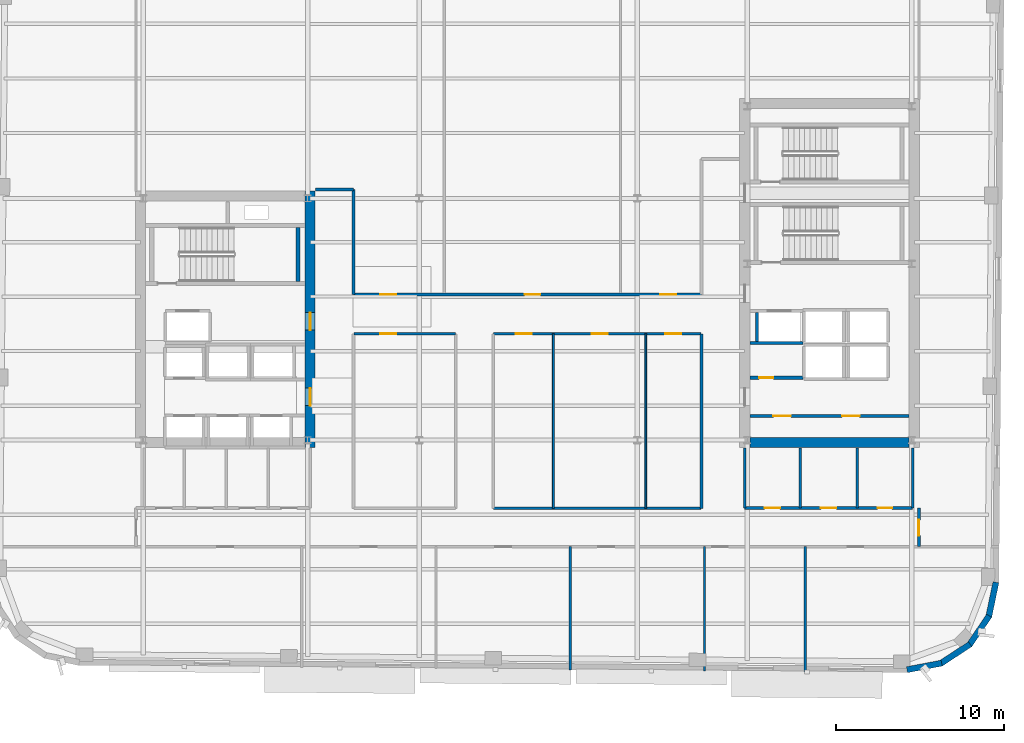
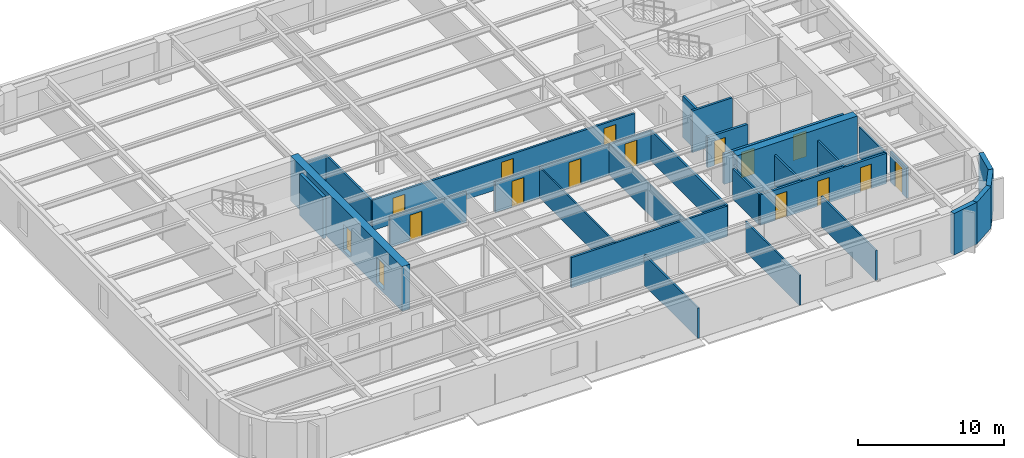
# One storey, part 5 of 12: 29 walls, 16 doors, 16 openings.
"""IFC4 building model written with IfcOpenShell, lengths in metres."""

from ifc_helpers import new_model, si_unit, direction, frame, frame_2d, origin, place, context, subcontext, project, spatial, rectangle, extrude, material, layer, layer_set, type_object, element, fill, save


model = new_model("IFC4")

# Units and contexts
model_context = context("Model", 3, precision=1e-05, world=origin(), true_north=direction((0.0, 1.0)))
body_context = subcontext(model_context, "Body", "Model", "MODEL_VIEW")
ifc_project = project(units=[si_unit("LENGTHUNIT", "METRE"), si_unit("AREAUNIT", "SQUARE_METRE"), si_unit("VOLUMEUNIT", "CUBIC_METRE"), si_unit("PLANEANGLEUNIT", "RADIAN"), si_unit("MASSUNIT", "GRAM", prefix="KILO")], contexts=[model_context])

# Site, building, storey
site_placement = place(None, origin())
site = spatial("IfcSite", under=ifc_project, at=site_placement, CompositionType="ELEMENT")
building_placement = place(site_placement, origin())
building = spatial("IfcBuilding", under=site, at=building_placement, Name="Kolvaren Arena Tower", CompositionType="ELEMENT")
storey_placement = place(building_placement, frame((0.0, 0.0, 199.699951171875)))
storey = spatial("IfcBuildingStorey", under=building, at=storey_placement, Name="L48", CompositionType="ELEMENT", Elevation=199.699951171875)

# Wall, openings, doors
ifc_material_1 = material(Name="Gypsum board acoustic assembly", Category="gypsum")
ifc_layer_1 = layer(ifc_material_1, 0.159912109375)
ifc_layer_set_1 = layer_set([ifc_layer_1], Name="Gypsum board acoustic assembly")
wall_type_1 = type_object("IfcWallType", Name="CORR-160", PredefinedType="PARTITIONING", material=ifc_layer_set_1)
wall_1_placement = place(storey_placement, frame((27.080078125, 28.1201171875, 0.0), z_axis=(0.0, 0.0, 1.0), x_axis=(1.0, 0.0, 0.0)))
wall_1 = element("IfcWall", 1, at=wall_1_placement, inside=storey, type_object=wall_type_1, Name="Interior Partition Wall (L48)", PredefinedType="PARTITIONING", context=body_context, shape_type="SweptSolid", body=[
    extrude(rectangle(XDim=20.739990234375, YDim=0.159912109375, at=frame_2d((10.3701171875, 0.0))), origin(), (0.0, 0.0, 1.0), 2.5400390625),
])
opening_1_placement = place(wall_1_placement, frame((1.594970703125, 0.0, 0.0)))
opening_1 = element("IfcOpeningElement", 2, at=opening_1_placement, cuts=wall_1, Name="Opening D05", PredefinedType="OPENING", context=body_context, shape_type="SweptSolid", body=[
    extrude(rectangle(XDim=0.949951171875, YDim=2.14990234375, at=frame_2d((0.47509765625, 1.074951171875))), frame((0.0, 0.08984375, 0.0), z_axis=(0.0, -1.0, 0.0), x_axis=(1.0, 0.0, 0.0)), (0.0, 0.0, 1.0), 0.179931640625),
])
opening_2_placement = place(wall_1_placement, frame((10.195068359375, 0.0, 0.0)))
opening_2 = element("IfcOpeningElement", 3, at=opening_2_placement, cuts=wall_1, Name="Opening D05", PredefinedType="OPENING", context=body_context, shape_type="SweptSolid", body=[
    extrude(rectangle(XDim=0.949951171875, YDim=2.14990234375, at=frame_2d((0.47509765625, 1.074951171875))), frame((0.0, 0.08984375, 0.0), z_axis=(0.0, -1.0, 0.0), x_axis=(1.0, 0.0, 0.0)), (0.0, 0.0, 1.0), 0.179931640625),
])
opening_3_placement = place(wall_1_placement, frame((18.294921875, 0.0, 0.0)))
opening_3 = element("IfcOpeningElement", 4, at=opening_3_placement, cuts=wall_1, Name="Opening D05", PredefinedType="OPENING", context=body_context, shape_type="SweptSolid", body=[
    extrude(rectangle(XDim=0.949951171875, YDim=2.14990234375, at=frame_2d((0.47509765625, 1.074951171875))), frame((0.0, 0.08984375, 0.0), z_axis=(0.0, -1.0, 0.0), x_axis=(1.0, 0.0, 0.0)), (0.0, 0.0, 1.0), 0.179931640625),
])
ifc_material_2 = material(Name="Solid-core oak acoustic office door", Category="wood")
door_type_1 = type_object("IfcDoorType", Name="DOOR-OF-095", OperationType="NOTDEFINED", PredefinedType="DOOR", material=ifc_material_2)
door_1_placement = place(opening_1_placement, origin())
door_1 = element("IfcDoor", 5, at=door_1_placement, inside=storey, type_object=door_type_1, Name="Technical Engineering Office Door (L48)", OperationType="SINGLE_SWING_RIGHT", OverallHeight=2.14990234375, OverallWidth=0.949951171875, PredefinedType="DOOR", context=body_context, shape_type="SweptSolid", body=[
    extrude(rectangle(XDim=0.949951171875, YDim=2.14990234375, at=frame_2d((0.47509765625, 1.074951171875))), frame((0.0, 0.02490234375, 0.0), z_axis=(0.0, -1.0, 0.0), x_axis=(1.0, 0.0, 0.0)), (0.0, 0.0, 1.0), 0.050048828125),
])
fill(opening_1, door_1)
door_2_placement = place(opening_2_placement, origin())
door_2 = element("IfcDoor", 6, at=door_2_placement, inside=storey, type_object=door_type_1, Name="Technical Engineering Office Door (L48)", OperationType="SINGLE_SWING_LEFT", OverallHeight=2.14990234375, OverallWidth=0.949951171875, PredefinedType="DOOR", context=body_context, shape_type="SweptSolid", body=[
    extrude(rectangle(XDim=0.949951171875, YDim=2.14990234375, at=frame_2d((0.47509765625, 1.074951171875))), frame((0.0, 0.02490234375, 0.0), z_axis=(0.0, -1.0, 0.0), x_axis=(1.0, 0.0, 0.0)), (0.0, 0.0, 1.0), 0.050048828125),
])
fill(opening_2, door_2)
door_3_placement = place(opening_3_placement, origin())
door_3 = element("IfcDoor", 7, at=door_3_placement, inside=storey, type_object=door_type_1, Name="Open Plan Office Door (L48)", OperationType="SINGLE_SWING_RIGHT", OverallHeight=2.14990234375, OverallWidth=0.949951171875, PredefinedType="DOOR", context=body_context, shape_type="SweptSolid", body=[
    extrude(rectangle(XDim=0.949951171875, YDim=2.14990234375, at=frame_2d((0.47509765625, 1.074951171875))), frame((0.0, 0.02490234375, 0.0), z_axis=(0.0, -1.0, 0.0), x_axis=(1.0, 0.0, 0.0)), (0.0, 0.0, 1.0), 0.050048828125),
])
fill(opening_3, door_3)

# Walls
wall_2_placement = place(storey_placement, frame((27.080078125, 28.1201171875, 0.0), z_axis=(0.0, 0.0, 1.0), x_axis=(0.0, 1.0, 0.0)))
element("IfcWall", 8, at=wall_2_placement, inside=storey, type_object=wall_type_1, Name="Interior Partition Wall (L48)", PredefinedType="PARTITIONING", context=body_context, shape_type="SweptSolid", body=[
    extrude(rectangle(XDim=6.259765625, YDim=0.159912109375, at=frame_2d((3.1298828125, 0.0))), origin(), (0.0, 0.0, 1.0), 2.5400390625),
])
wall_3_placement = place(storey_placement, frame((24.820068359375, 34.3798828125, 0.0), z_axis=(0.0, 0.0, 1.0), x_axis=(1.0, 0.0, 0.0)))
element("IfcWall", 9, at=wall_3_placement, inside=storey, type_object=wall_type_1, Name="Interior Partition Wall (L48)", PredefinedType="PARTITIONING", context=body_context, shape_type="SweptSolid", body=[
    extrude(rectangle(XDim=2.260009765625, YDim=0.159912109375, at=frame_2d((1.1298828125, 0.0))), origin(), (0.0, 0.0, 1.0), 2.5400390625),
])

# Wall, opening, door
wall_4_placement = place(storey_placement, frame((27.10009765625, 25.780029296875, 0.0), z_axis=(0.0, 0.0, 1.0), x_axis=(1.0, 0.0, 0.0)))
wall_4 = element("IfcWall", 10, at=wall_4_placement, inside=storey, type_object=wall_type_1, Name="Interior Partition Wall (L48)", PredefinedType="PARTITIONING", context=body_context, shape_type="SweptSolid", body=[
    extrude(rectangle(XDim=6.059814453125, YDim=0.159912109375, at=frame_2d((3.02978515625, 0.0))), origin(), (0.0, 0.0, 1.0), 2.5400390625),
])
opening_4_placement = place(wall_4_placement, frame((1.574951171875, 0.0, 0.0)))
opening_4 = element("IfcOpeningElement", 11, at=opening_4_placement, cuts=wall_4, Name="Opening D05", PredefinedType="OPENING", context=body_context, shape_type="SweptSolid", body=[
    extrude(rectangle(XDim=0.949951171875, YDim=2.14990234375, at=frame_2d((0.47509765625, 1.074951171875))), frame((0.0, 0.08984375, 0.0), z_axis=(0.0, -1.0, 0.0), x_axis=(1.0, 0.0, 0.0)), (0.0, 0.0, 1.0), 0.179931640625),
])
door_4_placement = place(opening_4_placement, origin())
door_4 = element("IfcDoor", 12, at=door_4_placement, inside=storey, type_object=door_type_1, Name="Boardroom Door (L48)", OperationType="SINGLE_SWING_LEFT", OverallHeight=2.14990234375, OverallWidth=0.949951171875, PredefinedType="DOOR", context=body_context, shape_type="SweptSolid", body=[
    extrude(rectangle(XDim=0.949951171875, YDim=2.14990234375, at=frame_2d((0.47509765625, 1.074951171875))), frame((0.0, 0.02490234375, 0.0), z_axis=(0.0, -1.0, 0.0), x_axis=(1.0, 0.0, 0.0)), (0.0, 0.0, 1.0), 0.050048828125),
])
fill(opening_4, door_4)

# Wall, openings, doors
wall_5_placement = place(storey_placement, frame((35.43994140625, 25.780029296875, 0.0), z_axis=(0.0, 0.0, 1.0), x_axis=(1.0, 0.0, 0.0)))
wall_5 = element("IfcWall", 13, at=wall_5_placement, inside=storey, type_object=wall_type_1, Name="Interior Partition Wall (L48)", PredefinedType="PARTITIONING", context=body_context, shape_type="SweptSolid", body=[
    extrude(rectangle(XDim=12.360107421875, YDim=0.159912109375, at=frame_2d((6.18017578125, 0.0))), origin(), (0.0, 0.0, 1.0), 2.5400390625),
])
opening_5_placement = place(wall_5_placement, frame((1.304931640625, 0.0, 0.0)))
opening_5 = element("IfcOpeningElement", 14, at=opening_5_placement, cuts=wall_5, Name="Opening D05", PredefinedType="OPENING", context=body_context, shape_type="SweptSolid", body=[
    extrude(rectangle(XDim=0.949951171875, YDim=2.14990234375, at=frame_2d((0.47509765625, 1.074951171875))), frame((0.0, 0.08984375, 0.0), z_axis=(0.0, -1.0, 0.0), x_axis=(1.0, 0.0, 0.0)), (0.0, 0.0, 1.0), 0.179931640625),
])
opening_6_placement = place(wall_5_placement, frame((5.8349609375, 0.0, 0.0)))
opening_6 = element("IfcOpeningElement", 15, at=opening_6_placement, cuts=wall_5, Name="Opening D05", PredefinedType="OPENING", context=body_context, shape_type="SweptSolid", body=[
    extrude(rectangle(XDim=0.949951171875, YDim=2.14990234375, at=frame_2d((0.47509765625, 1.074951171875))), frame((0.0, 0.08984375, 0.0), z_axis=(0.0, -1.0, 0.0), x_axis=(1.0, 0.0, 0.0)), (0.0, 0.0, 1.0), 0.179931640625),
])
opening_7_placement = place(wall_5_placement, frame((10.235107421875, 0.0, 0.0)))
opening_7 = element("IfcOpeningElement", 16, at=opening_7_placement, cuts=wall_5, Name="Opening D05", PredefinedType="OPENING", context=body_context, shape_type="SweptSolid", body=[
    extrude(rectangle(XDim=0.949951171875, YDim=2.14990234375, at=frame_2d((0.47509765625, 1.074951171875))), frame((0.0, 0.08984375, 0.0), z_axis=(0.0, -1.0, 0.0), x_axis=(1.0, 0.0, 0.0)), (0.0, 0.0, 1.0), 0.179931640625),
])
door_5_placement = place(opening_5_placement, origin())
door_5 = element("IfcDoor", 17, at=door_5_placement, inside=storey, type_object=door_type_1, Name="Breakout Pantry and Kitchen Door (L48)", OperationType="SINGLE_SWING_RIGHT", OverallHeight=2.14990234375, OverallWidth=0.949951171875, PredefinedType="DOOR", context=body_context, shape_type="SweptSolid", body=[
    extrude(rectangle(XDim=0.949951171875, YDim=2.14990234375, at=frame_2d((0.47509765625, 1.074951171875))), frame((0.0, 0.02490234375, 0.0), z_axis=(0.0, -1.0, 0.0), x_axis=(1.0, 0.0, 0.0)), (0.0, 0.0, 1.0), 0.050048828125),
])
fill(opening_5, door_5)
door_6_placement = place(opening_6_placement, origin())
door_6 = element("IfcDoor", 18, at=door_6_placement, inside=storey, type_object=door_type_1, Name="Design Studio Door (L48)", OperationType="SINGLE_SWING_LEFT", OverallHeight=2.14990234375, OverallWidth=0.949951171875, PredefinedType="DOOR", context=body_context, shape_type="SweptSolid", body=[
    extrude(rectangle(XDim=0.949951171875, YDim=2.14990234375, at=frame_2d((0.47509765625, 1.074951171875))), frame((0.0, 0.02490234375, 0.0), z_axis=(0.0, -1.0, 0.0), x_axis=(1.0, 0.0, 0.0)), (0.0, 0.0, 1.0), 0.050048828125),
])
fill(opening_6, door_6)
door_7_placement = place(opening_7_placement, origin())
door_7 = element("IfcDoor", 19, at=door_7_placement, inside=storey, type_object=door_type_1, Name="Training Seminar Room Door (L48)", OperationType="SINGLE_SWING_RIGHT", OverallHeight=2.14990234375, OverallWidth=0.949951171875, PredefinedType="DOOR", context=body_context, shape_type="SweptSolid", body=[
    extrude(rectangle(XDim=0.949951171875, YDim=2.14990234375, at=frame_2d((0.47509765625, 1.074951171875))), frame((0.0, 0.02490234375, 0.0), z_axis=(0.0, -1.0, 0.0), x_axis=(1.0, 0.0, 0.0)), (0.0, 0.0, 1.0), 0.050048828125),
])
fill(opening_7, door_7)

# Walls
wall_6_placement = place(storey_placement, frame((35.43994140625, 15.3798828125, 0.0), z_axis=(0.0, 0.0, 1.0), x_axis=(1.0, 0.0, 0.0)))
element("IfcWall", 20, at=wall_6_placement, inside=storey, type_object=wall_type_1, Name="Interior Partition Wall (L48)", PredefinedType="PARTITIONING", context=body_context, shape_type="SweptSolid", body=[
    extrude(rectangle(XDim=12.360107421875, YDim=0.159912109375, at=frame_2d((6.18017578125, 0.0))), origin(), (0.0, 0.0, 1.0), 2.5400390625),
])
wall_7_placement = place(storey_placement, frame((47.820068359375, 15.3798828125, 0.0), z_axis=(0.0, 0.0, 1.0), x_axis=(0.0, 1.0, 0.0)))
element("IfcWall", 21, at=wall_7_placement, inside=storey, type_object=wall_type_1, Name="Interior Partition Wall (L48)", PredefinedType="PARTITIONING", context=body_context, shape_type="SweptSolid", body=[
    extrude(rectangle(XDim=10.400146484375, YDim=0.159912109375, at=frame_2d((5.2001953125, 0.0))), origin(), (0.0, 0.0, 1.0), 2.5400390625),
])

# Wall, opening, door
wall_8_placement = place(storey_placement, frame((60.780029296875, 13.10009765625, 0.0), z_axis=(0.0, 0.0, 1.0), x_axis=(0.0, 1.0, 0.0)))
wall_8 = element("IfcWall", 22, at=wall_8_placement, inside=storey, type_object=wall_type_1, Name="Interior Partition Wall (L48)", PredefinedType="PARTITIONING", context=body_context, shape_type="SweptSolid", body=[
    extrude(rectangle(XDim=2.2998046875, YDim=0.159912109375, at=frame_2d((1.14990234375, 0.0))), origin(), (0.0, 0.0, 1.0), 2.5400390625),
])
opening_8_placement = place(wall_8_placement, frame((0.64990234375, 0.0, 0.0)))
opening_8 = element("IfcOpeningElement", 23, at=opening_8_placement, cuts=wall_8, Name="Opening D05", PredefinedType="OPENING", context=body_context, shape_type="SweptSolid", body=[
    extrude(rectangle(XDim=0.949951171875, YDim=2.14990234375, at=frame_2d((0.47509765625, 1.074951171875))), frame((0.0, 0.08984375, 0.0), z_axis=(0.0, -1.0, 0.0), x_axis=(1.0, 0.0, 0.0)), (0.0, 0.0, 1.0), 0.179931640625),
])
door_8_placement = place(opening_8_placement, origin())
door_8 = element("IfcDoor", 24, at=door_8_placement, inside=storey, type_object=door_type_1, Name="East Wing Studio Door (L48)", OperationType="SINGLE_SWING_RIGHT", OverallHeight=2.14990234375, OverallWidth=0.949951171875, PredefinedType="DOOR", context=body_context, shape_type="SweptSolid", body=[
    extrude(rectangle(XDim=0.949951171875, YDim=2.14990234375, at=frame_2d((0.47509765625, 1.074951171875))), frame((0.0, 0.02490234375, 0.0), z_axis=(0.0, -1.0, 0.0), x_axis=(1.0, 0.0, 0.0)), (0.0, 0.0, 1.0), 0.050048828125),
])
fill(opening_8, door_8)

# Wall, openings, doors
ifc_material_3 = material(Name="Concrete 60 MPa", Category="concrete")
ifc_layer_2 = layer(ifc_material_3, 0.60009765625)
ifc_layer_set_2 = layer_set([ifc_layer_2], Name="Concrete 60 MPa")
wall_type_2 = type_object("IfcWallType", Name="CWALL-600", PredefinedType="SHEAR", material=ifc_layer_set_2)
wall_9_placement = place(storey_placement, frame((24.5, 19.0, -0.27001953125), z_axis=(0.0, 0.0, 1.0), x_axis=(0.0, 1.0, 0.0)))
wall_9 = element("IfcWall", 25, at=wall_9_placement, inside=storey, type_object=wall_type_2, Name="Core Shear Wall WC-EAST (L48)", PredefinedType="SHEAR", context=body_context, shape_type="SweptSolid", body=[
    extrude(rectangle(XDim=15.300048828125, YDim=0.60009765625, at=frame_2d((7.64990234375, 0.0))), origin(), (0.0, 0.0, 1.0), 3.75),
])
opening_9_placement = place(wall_9_placement, frame((2.5, 0.0, 0.27001953125)))
opening_9 = element("IfcOpeningElement", 26, at=opening_9_placement, cuts=wall_9, Name="Opening D04", PredefinedType="OPENING", context=body_context, shape_type="SweptSolid", body=[
    extrude(rectangle(XDim=1.050048828125, YDim=2.14990234375, at=frame_2d((0.52490234375, 1.074951171875))), frame((0.0, 0.31005859375, 0.0), z_axis=(0.0, -1.0, 0.0), x_axis=(1.0, 0.0, 0.0)), (0.0, 0.0, 1.0), 0.6201171875),
])
opening_10_placement = place(wall_9_placement, frame((7.0, 0.0, 0.27001953125)))
opening_10 = element("IfcOpeningElement", 27, at=opening_10_placement, cuts=wall_9, Name="Opening D04", PredefinedType="OPENING", context=body_context, shape_type="SweptSolid", body=[
    extrude(rectangle(XDim=1.050048828125, YDim=2.14990234375, at=frame_2d((0.52490234375, 1.074951171875))), frame((0.0, 0.31005859375, 0.0), z_axis=(0.0, -1.0, 0.0), x_axis=(1.0, 0.0, 0.0)), (0.0, 0.0, 1.0), 0.6201171875),
])
ifc_material_4 = material(Name="Fire-rated steel lobby door", Category="steel")
door_type_2 = type_object("IfcDoorType", Name="DOOR-FF-105", OperationType="NOTDEFINED", PredefinedType="DOOR", material=ifc_material_4)
door_9_placement = place(opening_9_placement, origin())
door_9 = element("IfcDoor", 28, at=door_9_placement, inside=storey, type_object=door_type_2, Name="West Lift Lobby Fire Door (L48)", OperationType="SINGLE_SWING_LEFT", OverallHeight=2.14990234375, OverallWidth=1.050048828125, PredefinedType="DOOR", context=body_context, shape_type="SweptSolid", body=[
    extrude(rectangle(XDim=1.050048828125, YDim=2.14990234375, at=frame_2d((0.52490234375, 1.074951171875))), frame((0.0, 0.02490234375, 0.0), z_axis=(0.0, -1.0, 0.0), x_axis=(1.0, 0.0, 0.0)), (0.0, 0.0, 1.0), 0.050048828125),
])
fill(opening_9, door_9)
door_10_placement = place(opening_10_placement, origin())
door_10 = element("IfcDoor", 29, at=door_10_placement, inside=storey, type_object=door_type_2, Name="West Firefighter Vestibule Door (L48)", OperationType="SINGLE_SWING_RIGHT", OverallHeight=2.14990234375, OverallWidth=1.050048828125, PredefinedType="DOOR", context=body_context, shape_type="SweptSolid", body=[
    extrude(rectangle(XDim=1.050048828125, YDim=2.14990234375, at=frame_2d((0.52490234375, 1.074951171875))), frame((0.0, 0.02490234375, 0.0), z_axis=(0.0, -1.0, 0.0), x_axis=(1.0, 0.0, 0.0)), (0.0, 0.0, 1.0), 0.050048828125),
])
fill(opening_10, door_10)

# Walls
wall_10_placement = place(storey_placement, frame((50.699951171875, 19.300048828125, -0.27001953125), z_axis=(0.0, 0.0, 1.0), x_axis=(1.0, 0.0, 0.0)))
element("IfcWall", 30, at=wall_10_placement, inside=storey, type_object=wall_type_2, Name="Core Shear Wall EC-SOUTH (L48)", PredefinedType="SHEAR", context=body_context, shape_type="SweptSolid", body=[
    extrude(rectangle(XDim=9.5, YDim=0.60009765625, at=frame_2d((4.75, 0.0))), origin(), (0.0, 0.0, 1.0), 3.75),
])
ifc_material_5 = material(Name="Precast concrete C50/60", Category="concrete")
ifc_layer_3 = layer(ifc_material_5, 0.360107421875)
ifc_layer_set_3 = layer_set([ifc_layer_3], Name="Precast concrete C50/60")
wall_type_3 = type_object("IfcWallType", Name="EXT-PIER2", PredefinedType="SOLIDWALL", material=ifc_layer_set_3)
wall_11_placement = place(storey_placement, frame((62.136474609375, 6.155029296875, 0.0), z_axis=(0.0, 0.0, 1.0), x_axis=(-0.98246713518, -0.186435855703, 0.0)))
element("IfcWall", 31, at=wall_11_placement, inside=storey, type_object=wall_type_3, Name="Exterior Precast Masonry-Frame Wall (L48)", PredefinedType="SOLIDWALL", context=body_context, shape_type="SweptSolid", body=[
    extrude(rectangle(XDim=2.10693359375, YDim=0.360107421875, at=frame_2d((1.053466796875, 0.0))), origin(), (0.0, 0.0, 1.0), 3.47998046875),
])
wall_12_placement = place(storey_placement, frame((63.83349609375, 7.2841796875, 0.0), z_axis=(0.0, 0.0, 1.0), x_axis=(-0.836303589916, -0.548266637224, 0.0)))
element("IfcWall", 32, at=wall_12_placement, inside=storey, type_object=wall_type_3, Name="Exterior Precast Masonry-Frame Wall (L48)", PredefinedType="SOLIDWALL", context=body_context, shape_type="SweptSolid", body=[
    extrude(rectangle(XDim=2.107177734375, YDim=0.360107421875, at=frame_2d((1.0537109375, 0.0))), origin(), (0.0, 0.0, 1.0), 3.47998046875),
])
for number, where, z_axis, x_axis, name in (
    (33, (64.968994140625, 8.9765625, 0.0), (0.0, 0.0, 1.0), (-0.56277581689, -0.826609569219, 0.0), "Exterior Precast Masonry-Frame Wall (L48)"),
    (34, (65.370849609375, 10.974609375, 0.0), (0.0, 0.0, 1.0), (-0.203709000552, -0.979031482177, 0.0), "Exterior Precast Masonry-Frame Wall (L48)"),
):
    element("IfcWall", number, at=place(storey_placement, frame(where, z_axis=z_axis, x_axis=x_axis)), inside=storey, type_object=wall_type_3, Name=name, PredefinedType="SOLIDWALL", context=body_context, shape_type="SweptSolid", body=[
        extrude(rectangle(XDim=2.10693359375, YDim=0.360107421875, at=frame_2d((1.053466796875, 0.0))), origin(), (0.0, 0.0, 1.0), 3.47998046875),
    ])

# Wall, openings, doors
ifc_material_6 = material(Name="Concrete 40 MPa", Category="concrete")
ifc_layer_4 = layer(ifc_material_6, 0.199951171875)
ifc_layer_set_4 = layer_set([ifc_layer_4], Name="Concrete 40 MPa")
wall_type_4 = type_object("IfcWallType", Name="LOBBY-200", PredefinedType="SOLIDWALL", material=ifc_layer_set_4)
wall_13_placement = place(storey_placement, frame((50.699951171875, 20.8798828125, 0.0), z_axis=(0.0, 0.0, 1.0), x_axis=(1.0, 0.0, 0.0)))
wall_13 = element("IfcWall", 35, at=wall_13_placement, inside=storey, type_object=wall_type_4, Name="Core Shaft Wall (L48)", PredefinedType="SOLIDWALL", context=body_context, shape_type="SweptSolid", body=[
    extrude(rectangle(XDim=9.5, YDim=0.199951171875, at=frame_2d((4.75, 0.0))), origin(), (0.0, 0.0, 1.0), 2.5400390625),
])
opening_11_placement = place(wall_13_placement, frame((1.39990234375, 0.0, 0.0)))
opening_11 = element("IfcOpeningElement", 36, at=opening_11_placement, cuts=wall_13, Name="Opening D04", PredefinedType="OPENING", context=body_context, shape_type="SweptSolid", body=[
    extrude(rectangle(XDim=1.050048828125, YDim=2.14990234375, at=frame_2d((0.52490234375, 1.074951171875))), frame((0.0, 0.10986328125, 0.0), z_axis=(0.0, -1.0, 0.0), x_axis=(1.0, 0.0, 0.0)), (0.0, 0.0, 1.0), 0.219970703125),
])
opening_12_placement = place(wall_13_placement, frame((5.5, 0.0, 0.0)))
opening_12 = element("IfcOpeningElement", 37, at=opening_12_placement, cuts=wall_13, Name="Opening D04", PredefinedType="OPENING", context=body_context, shape_type="SweptSolid", body=[
    extrude(rectangle(XDim=1.050048828125, YDim=2.14990234375, at=frame_2d((0.52490234375, 1.074951171875))), frame((0.0, 0.10986328125, 0.0), z_axis=(0.0, -1.0, 0.0), x_axis=(1.0, 0.0, 0.0)), (0.0, 0.0, 1.0), 0.219970703125),
])
door_11_placement = place(opening_11_placement, origin())
door_11 = element("IfcDoor", 38, at=door_11_placement, inside=storey, type_object=door_type_2, Name="East Telecom Room Fire Door (L48)", OperationType="SINGLE_SWING_RIGHT", OverallHeight=2.14990234375, OverallWidth=1.050048828125, PredefinedType="DOOR", context=body_context, shape_type="SweptSolid", body=[
    extrude(rectangle(XDim=1.050048828125, YDim=2.14990234375, at=frame_2d((0.52490234375, 1.074951171875))), frame((0.0, 0.02490234375, 0.0), z_axis=(0.0, -1.0, 0.0), x_axis=(1.0, 0.0, 0.0)), (0.0, 0.0, 1.0), 0.050048828125),
])
fill(opening_11, door_11)
door_12_placement = place(opening_12_placement, origin())
door_12 = element("IfcDoor", 39, at=door_12_placement, inside=storey, type_object=door_type_2, Name="East Records Room Fire Door (L48)", OperationType="SINGLE_SWING_LEFT", OverallHeight=2.14990234375, OverallWidth=1.050048828125, PredefinedType="DOOR", context=body_context, shape_type="SweptSolid", body=[
    extrude(rectangle(XDim=1.050048828125, YDim=2.14990234375, at=frame_2d((0.52490234375, 1.074951171875))), frame((0.0, 0.02490234375, 0.0), z_axis=(0.0, -1.0, 0.0), x_axis=(1.0, 0.0, 0.0)), (0.0, 0.0, 1.0), 0.050048828125),
])
fill(opening_12, door_12)

# Wall, opening, door
wall_14_placement = place(storey_placement, frame((50.699951171875, 23.159912109375, 0.0), z_axis=(0.0, 0.0, 1.0), x_axis=(1.0, 0.0, 0.0)))
wall_14 = element("IfcWall", 40, at=wall_14_placement, inside=storey, type_object=wall_type_4, Name="Core Shaft Wall (L48)", PredefinedType="SOLIDWALL", context=body_context, shape_type="SweptSolid", body=[
    extrude(rectangle(XDim=3.179931640625, YDim=0.199951171875, at=frame_2d((1.58984375, 0.0))), origin(), (0.0, 0.0, 1.0), 2.5400390625),
])
opening_13_placement = place(wall_14_placement, frame((0.550048828125, 0.0, 0.0)))
opening_13 = element("IfcOpeningElement", 41, at=opening_13_placement, cuts=wall_14, Name="Opening D09", PredefinedType="OPENING", context=body_context, shape_type="SweptSolid", body=[
    extrude(rectangle(XDim=0.860107421875, YDim=2.050048828125, at=frame_2d((0.43017578125, 1.02490234375))), frame((0.0, 0.10986328125, 0.0), z_axis=(0.0, -1.0, 0.0), x_axis=(1.0, 0.0, 0.0)), (0.0, 0.0, 1.0), 0.219970703125),
])
ifc_material_7 = material(Name="Fire-rated steel riser access door", Category="steel")
door_type_3 = type_object("IfcDoorType", Name="DOOR-RS-086", OperationType="NOTDEFINED", PredefinedType="DOOR", material=ifc_material_7)
door_13_placement = place(opening_13_placement, origin())
door_13 = element("IfcDoor", 42, at=door_13_placement, inside=storey, type_object=door_type_3, Name="East AV Riser Closet Door (L48)", OperationType="SINGLE_SWING_LEFT", OverallHeight=2.050048828125, OverallWidth=0.860107421875, PredefinedType="DOOR", context=body_context, shape_type="SweptSolid", body=[
    extrude(rectangle(XDim=0.860107421875, YDim=2.050048828125, at=frame_2d((0.43017578125, 1.02490234375))), frame((0.0, 0.02490234375, 0.0), z_axis=(0.0, -1.0, 0.0), x_axis=(1.0, 0.0, 0.0)), (0.0, 0.0, 1.0), 0.050048828125),
])
fill(opening_13, door_13)

# Walls
ifc_material_8 = material(Name="Gypsum board partition assembly", Category="gypsum")
ifc_layer_5 = layer(ifc_material_8, 0.114990234375)
ifc_layer_set_5 = layer_set([ifc_layer_5], Name="Gypsum board partition assembly")
wall_type_5 = type_object("IfcWallType", Name="PART-115", PredefinedType="PARTITIONING", material=ifc_layer_set_5)
for number, where, z_axis, x_axis, name in (
    (43, (39.0, 15.3798828125, 0.0), (0.0, 0.0, 1.0), (0.0, 1.0, 0.0), "Interior Partition Wall (L48)"),
    (44, (44.5, 15.3798828125, 0.0), (0.0, 0.0, 1.0), (0.0, 1.0, 0.0), "Interior Partition Wall (L48)"),
):
    element("IfcWall", number, at=place(storey_placement, frame(where, z_axis=z_axis, x_axis=x_axis)), inside=storey, type_object=wall_type_5, Name=name, PredefinedType="PARTITIONING", context=body_context, shape_type="SweptSolid", body=[
        extrude(rectangle(XDim=10.400146484375, YDim=0.114990234375, at=frame_2d((5.2001953125, 0.0))), origin(), (0.0, 0.0, 1.0), 2.5400390625),
    ])
ifc_layer_6 = layer(ifc_material_8, 0.135009765625)
ifc_layer_set_6 = layer_set([ifc_layer_6], Name="Gypsum board partition assembly")
wall_type_6 = type_object("IfcWallType", Name="PART-135", PredefinedType="PARTITIONING", material=ifc_layer_set_6)
wall_15_placement = place(storey_placement, frame((40.0, 5.7607421875, 0.0), z_axis=(0.0, 0.0, 1.0), x_axis=(0.0, 1.0, 0.0)))
element("IfcWall", 45, at=wall_15_placement, inside=storey, type_object=wall_type_6, Name="Interior Partition Wall (L48)", PredefinedType="PARTITIONING", context=body_context, shape_type="SweptSolid", body=[
    extrude(rectangle(XDim=7.33935546875, YDim=0.135009765625, at=frame_2d((3.669677734375, 0.0))), origin(), (0.0, 0.0, 1.0), 2.5400390625),
])
wall_16_placement = place(storey_placement, frame((48.0, 5.69091796875, 0.0), z_axis=(0.0, 0.0, 1.0), x_axis=(0.0, 1.0, 0.0)))
element("IfcWall", 46, at=wall_16_placement, inside=storey, type_object=wall_type_6, Name="Interior Partition Wall (L48)", PredefinedType="PARTITIONING", context=body_context, shape_type="SweptSolid", body=[
    extrude(rectangle(XDim=7.4091796875, YDim=0.135009765625, at=frame_2d((3.70458984375, 0.0))), origin(), (0.0, 0.0, 1.0), 2.5400390625),
])
wall_17_placement = place(storey_placement, frame((54.0, 5.638427734375, 0.0), z_axis=(0.0, 0.0, 1.0), x_axis=(0.0, 1.0, 0.0)))
element("IfcWall", 47, at=wall_17_placement, inside=storey, type_object=wall_type_6, Name="Interior Partition Wall (L48)", PredefinedType="PARTITIONING", context=body_context, shape_type="SweptSolid", body=[
    extrude(rectangle(XDim=7.461669921875, YDim=0.135009765625, at=frame_2d((3.73095703125, 0.0))), origin(), (0.0, 0.0, 1.0), 2.5400390625),
])
ifc_material_9 = material(Name="Concrete 45 MPa", Category="concrete")
ifc_layer_7 = layer(ifc_material_9, 0.25)
ifc_layer_set_7 = layer_set([ifc_layer_7], Name="Concrete 45 MPa")
wall_type_7 = type_object("IfcWallType", Name="SHAFT-250", PredefinedType="SOLIDWALL", material=ifc_layer_set_7)
wall_18_placement = place(storey_placement, frame((23.780029296875, 28.89990234375, 0.0), z_axis=(0.0, 0.0, 1.0), x_axis=(0.0, 1.0, 0.0)))
element("IfcWall", 48, at=wall_18_placement, inside=storey, type_object=wall_type_7, Name="Core Shaft Wall (L48)", PredefinedType="SOLIDWALL", context=body_context, shape_type="SweptSolid", body=[
    extrude(rectangle(XDim=3.22998046875, YDim=0.239990234375, at=frame_2d((1.614990234375, 0.0))), origin(), (0.0, 0.0, 1.0), 3.47998046875),
])
wall_19_placement = place(storey_placement, frame((50.699951171875, 25.2451171875, 0.0), z_axis=(0.0, 0.0, 1.0), x_axis=(1.0, 0.0, 0.0)))
element("IfcWall", 49, at=wall_19_placement, inside=storey, type_object=wall_type_7, Name="Core Shaft Wall (L48)", PredefinedType="SOLIDWALL", context=body_context, shape_type="SweptSolid", body=[
    extrude(rectangle(XDim=3.1650390625, YDim=0.179931640625, at=frame_2d((1.58251953125, 0.0))), origin(), (0.0, 0.0, 1.0), 3.47998046875),
])
wall_20_placement = place(storey_placement, frame((51.1298828125, 25.3349609375, 0.0), z_axis=(0.0, 0.0, 1.0), x_axis=(0.0, 1.0, 0.0)))
element("IfcWall", 50, at=wall_20_placement, inside=storey, type_object=wall_type_7, Name="Core Shaft Wall (L48)", PredefinedType="SOLIDWALL", context=body_context, shape_type="SweptSolid", body=[
    extrude(rectangle(XDim=1.72998046875, YDim=0.179931640625, at=frame_2d((0.864990234375, 0.0))), origin(), (0.0, 0.0, 1.0), 3.47998046875),
])

# Wall, openings, doors
wall_21_placement = place(storey_placement, frame((50.39990234375, 15.39990234375, 0.0), z_axis=(0.0, 0.0, 1.0), x_axis=(1.0, 0.0, 0.0)))
wall_21 = element("IfcWall", 51, at=wall_21_placement, inside=storey, type_object=wall_type_7, Name="Interior Partition Wall (L48)", PredefinedType="SOLIDWALL", context=body_context, shape_type="SweptSolid", body=[
    extrude(rectangle(XDim=10.0, YDim=0.179931640625, at=frame_2d((5.0, 0.0))), origin(), (0.0, 0.0, 1.0), 2.5400390625),
])
opening_14_placement = place(wall_21_placement, frame((1.18994140625, 0.0, 0.0)))
opening_14 = element("IfcOpeningElement", 52, at=opening_14_placement, cuts=wall_21, Name="Opening D07", PredefinedType="OPENING", context=body_context, shape_type="SweptSolid", body=[
    extrude(rectangle(XDim=0.919921875, YDim=2.10009765625, at=frame_2d((0.4599609375, 1.050048828125))), frame((0.0, 0.099853515625, 0.0), z_axis=(0.0, -1.0, 0.0), x_axis=(1.0, 0.0, 0.0)), (0.0, 0.0, 1.0), 0.199951171875),
])
opening_15_placement = place(wall_21_placement, frame((4.5400390625, 0.0, 0.0)))
opening_15 = element("IfcOpeningElement", 53, at=opening_15_placement, cuts=wall_21, Name="Opening D07", PredefinedType="OPENING", context=body_context, shape_type="SweptSolid", body=[
    extrude(rectangle(XDim=0.919921875, YDim=2.10009765625, at=frame_2d((0.4599609375, 1.050048828125))), frame((0.0, 0.099853515625, 0.0), z_axis=(0.0, -1.0, 0.0), x_axis=(1.0, 0.0, 0.0)), (0.0, 0.0, 1.0), 0.199951171875),
])
opening_16_placement = place(wall_21_placement, frame((7.919921875, 0.0, 0.0)))
opening_16 = element("IfcOpeningElement", 54, at=opening_16_placement, cuts=wall_21, Name="Opening D09", PredefinedType="OPENING", context=body_context, shape_type="SweptSolid", body=[
    extrude(rectangle(XDim=0.860107421875, YDim=2.050048828125, at=frame_2d((0.43017578125, 1.02490234375))), frame((0.0, 0.099853515625, 0.0), z_axis=(0.0, -1.0, 0.0), x_axis=(1.0, 0.0, 0.0)), (0.0, 0.0, 1.0), 0.199951171875),
])
door_14_placement = place(opening_16_placement, origin())
door_14 = element("IfcDoor", 55, at=door_14_placement, inside=storey, type_object=door_type_3, Name="Mechanical Riser Closet Door (L48)", OperationType="SINGLE_SWING_RIGHT", OverallHeight=2.050048828125, OverallWidth=0.860107421875, PredefinedType="DOOR", context=body_context, shape_type="SweptSolid", body=[
    extrude(rectangle(XDim=0.860107421875, YDim=2.050048828125, at=frame_2d((0.43017578125, 1.02490234375))), frame((0.0, 0.02490234375, 0.0), z_axis=(0.0, -1.0, 0.0), x_axis=(1.0, 0.0, 0.0)), (0.0, 0.0, 1.0), 0.050048828125),
])
fill(opening_16, door_14)
ifc_material_10 = material(Name="Laminate universal washroom door", Category="wood")
door_type_4 = type_object("IfcDoorType", Name="DOOR-WC-092", OperationType="NOTDEFINED", PredefinedType="DOOR", material=ifc_material_10)
door_15_placement = place(opening_14_placement, origin())
door_15 = element("IfcDoor", 56, at=door_15_placement, inside=storey, type_object=door_type_4, Name="Staff Pantry Door (L48)", OperationType="SINGLE_SWING_RIGHT", OverallHeight=2.10009765625, OverallWidth=0.919921875, PredefinedType="DOOR", context=body_context, shape_type="SweptSolid", body=[
    extrude(rectangle(XDim=0.919921875, YDim=2.10009765625, at=frame_2d((0.4599609375, 1.050048828125))), frame((0.0, 0.02490234375, 0.0), z_axis=(0.0, -1.0, 0.0), x_axis=(1.0, 0.0, 0.0)), (0.0, 0.0, 1.0), 0.050048828125),
])
fill(opening_14, door_15)
door_16_placement = place(opening_15_placement, origin())
door_16 = element("IfcDoor", 57, at=door_16_placement, inside=storey, type_object=door_type_4, Name="Gender-Neutral Washroom Door (L48)", OperationType="SINGLE_SWING_LEFT", OverallHeight=2.10009765625, OverallWidth=0.919921875, PredefinedType="DOOR", context=body_context, shape_type="SweptSolid", body=[
    extrude(rectangle(XDim=0.919921875, YDim=2.10009765625, at=frame_2d((0.4599609375, 1.050048828125))), frame((0.0, 0.02490234375, 0.0), z_axis=(0.0, -1.0, 0.0), x_axis=(1.0, 0.0, 0.0)), (0.0, 0.0, 1.0), 0.050048828125),
])
fill(opening_15, door_16)

# Walls
ifc_material_11 = material(Name="Moisture-resistant gypsum assembly", Category="gypsum")
ifc_layer_8 = layer(ifc_material_11, 0.14990234375)
ifc_layer_set_8 = layer_set([ifc_layer_8], Name="Moisture-resistant gypsum assembly")
wall_type_8 = type_object("IfcWallType", Name="WETW-150", PredefinedType="PARTITIONING", material=ifc_layer_set_8)
for number, where, z_axis, x_axis, name in (
    (58, (53.699951171875, 15.39990234375, 0.0), (0.0, 0.0, 1.0), (0.0, 1.0, 0.0), "Interior Partition Wall (L48)"),
    (59, (57.10009765625, 15.39990234375, 0.0), (0.0, 0.0, 1.0), (0.0, 1.0, 0.0), "Interior Partition Wall (L48)"),
    (60, (50.39990234375, 15.39990234375, 0.0), (0.0, 0.0, 1.0), (0.0, 1.0, 0.0), "Interior Partition Wall (L48)"),
    (61, (60.39990234375, 15.39990234375, 0.0), (0.0, 0.0, 1.0), (0.0, 1.0, 0.0), "Interior Partition Wall (L48)"),
):
    element("IfcWall", number, at=place(storey_placement, frame(where, z_axis=z_axis, x_axis=x_axis)), inside=storey, type_object=wall_type_8, Name=name, PredefinedType="PARTITIONING", context=body_context, shape_type="SweptSolid", body=[
        extrude(rectangle(XDim=3.580078125, YDim=0.14990234375, at=frame_2d((1.7900390625, 0.0))), origin(), (0.0, 0.0, 1.0), 2.5400390625),
    ])

save(model, "model.ifc")
